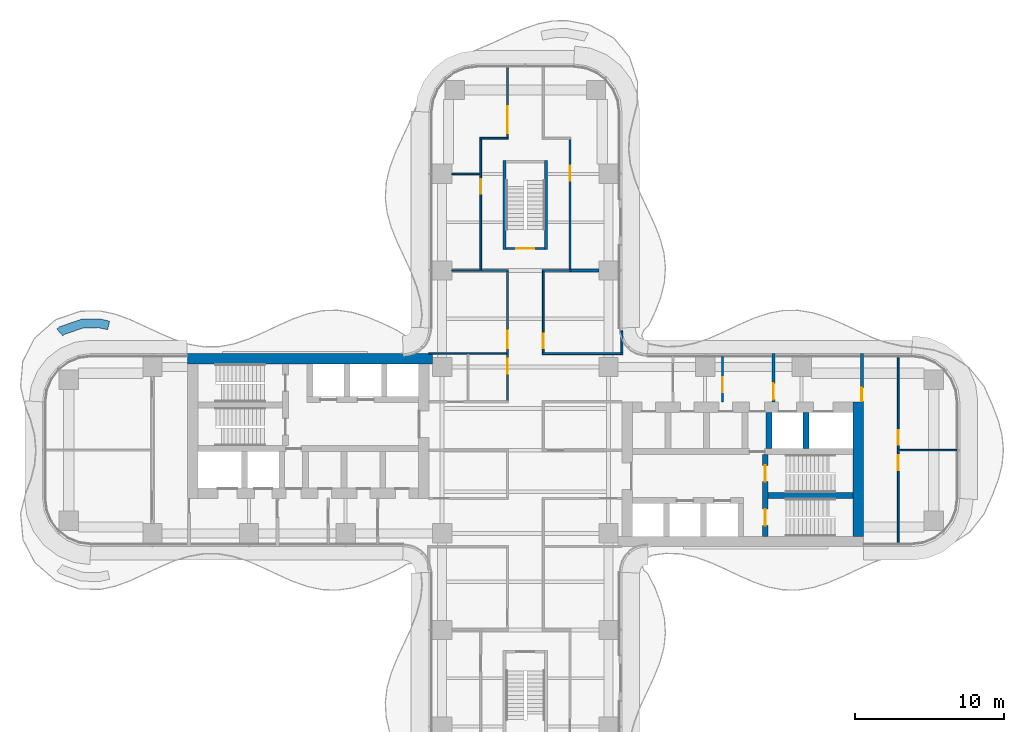
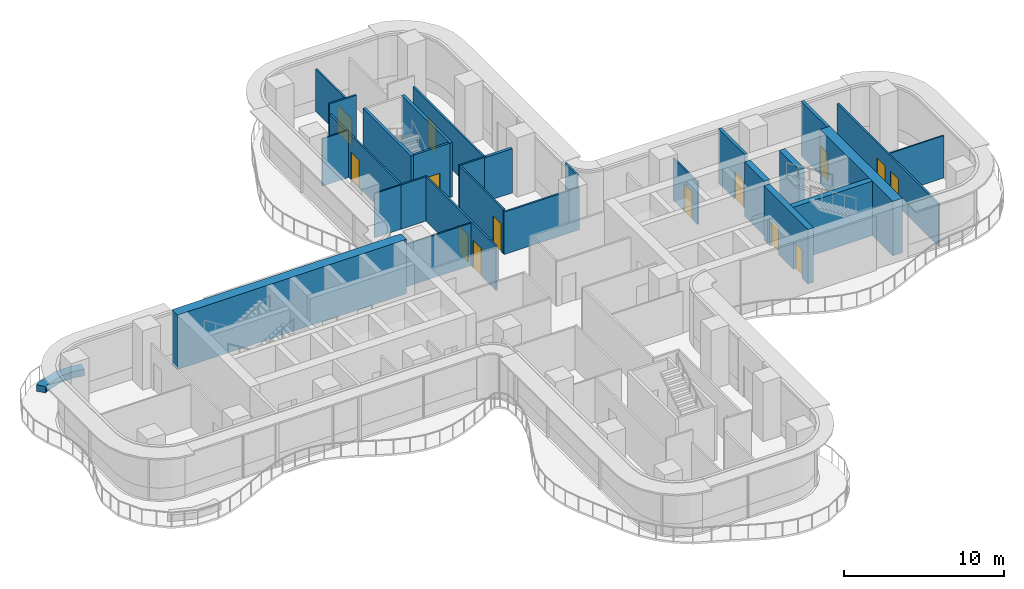
# One storey, part 17 of 20: 29 walls, 14 doors, 14 openings.
"""IFC4 building model written with IfcOpenShell, lengths in metres."""

from ifc_helpers import new_model, si_unit, direction, frame, frame_2d, origin, place, context, subcontext, project, spatial, polyline, rectangle, outline, extrude, source, transform, mapped, material, layer, layer_set, type_object, element, fill, save


model = new_model("IFC4")

# Units and contexts
model_context = context("Model", 3, precision=1e-05, world=origin(), true_north=direction((0.0, 1.0)))
body_context = subcontext(model_context, "Body", "Model", "MODEL_VIEW")
ifc_project = project(units=[si_unit("LENGTHUNIT", "METRE"), si_unit("AREAUNIT", "SQUARE_METRE"), si_unit("VOLUMEUNIT", "CUBIC_METRE"), si_unit("PLANEANGLEUNIT", "RADIAN"), si_unit("MASSUNIT", "GRAM", prefix="KILO")], contexts=[model_context])

# Site, building, storey
site_placement = place(None, origin())
site = spatial("IfcSite", under=ifc_project, at=site_placement, CompositionType="ELEMENT")
building_placement = place(site_placement, origin())
building = spatial("IfcBuilding", under=site, at=building_placement, Name="Trellis Farm Tower", CompositionType="ELEMENT")
storey_placement = place(building_placement, frame((0.0, 0.0, 151.5)))
storey = spatial("IfcBuildingStorey", under=building, at=storey_placement, Name="L32", CompositionType="ELEMENT", Elevation=151.5)

# Walls
ifc_material_1 = material(Name="Lightweight blockwork, plastered", Category="masonry")
ifc_layer_1 = layer(ifc_material_1, 0.199951171875)
ifc_layer_set_1 = layer_set([ifc_layer_1], Name="BLOCK WALL 200 EI 120")
wall_type_1 = type_object("IfcWallType", Name="BLOCK WALL 200 EI 120", PredefinedType="PARTITIONING", material=ifc_layer_set_1)
wall_1_placement = place(storey_placement, frame((2.9375, 12.10009765625, 0.0), z_axis=(0.0, 0.0, 1.0), x_axis=(1.0, 0.0, 0.0)))
element("IfcWall", 1, at=wall_1_placement, inside=storey, type_object=wall_type_1, Name="Partition PW3", PredefinedType="PARTITIONING", context=body_context, shape_type="SweptSolid", body=[
    extrude(rectangle(XDim=2.012451171875, YDim=0.199951171875, at=frame_2d((1.00634765625, 0.0))), origin(), (0.0, 0.0, 1.0), 3.367919921875),
])
ifc_material_2 = material(Name="Plasterboard on steel studs", Category="steel")
ifc_layer_2 = layer(ifc_material_2, 0.10009765625)
ifc_layer_set_2 = layer_set([ifc_layer_2], Name="PARTITION 100 STUD EI 30")
wall_type_2 = type_object("IfcWallType", Name="PARTITION 100 STUD EI 30", PredefinedType="PARTITIONING", material=ifc_layer_set_2)
wall_2_placement = place(storey_placement, frame((25.16259765625, 0.0, 0.0), z_axis=(0.0, 0.0, 1.0), x_axis=(1.0, 0.0, 0.0)))
element("IfcWall", 2, at=wall_2_placement, inside=storey, type_object=wall_type_2, Name="Partition PW2", PredefinedType="PARTITIONING", context=body_context, shape_type="SweptSolid", body=[
    extrude(rectangle(XDim=3.887451171875, YDim=0.10009765625, at=frame_2d((1.94384765625, 0.0))), origin(), (0.0, 0.0, 1.0), 3.22998046875),
])
wall_3_placement = place(storey_placement, frame((-4.949951171875, 18.60009765625, 0.0), z_axis=(0.0, 0.0, 1.0), x_axis=(1.0, 0.0, 0.0)))
element("IfcWall", 3, at=wall_3_placement, inside=storey, type_object=wall_type_2, Name="Partition PW2", PredefinedType="PARTITIONING", context=body_context, shape_type="SweptSolid", body=[
    extrude(rectangle(XDim=1.887451171875, YDim=0.10009765625, at=frame_2d((0.94384765625, 0.0))), origin(), (0.0, 0.0, 1.0), 3.596923828125),
])

# Wall, opening, door
ifc_material_3 = material(Name="Plasterboard on steel studs, mineral wool", Category="steel")
ifc_layer_3 = layer(ifc_material_3, 0.125)
ifc_layer_set_3 = layer_set([ifc_layer_3], Name="PARTITION 125 STUD EI 60")
wall_type_3 = type_object("IfcWallType", Name="PARTITION 125 STUD EI 60", PredefinedType="PARTITIONING", material=ifc_layer_set_3)
wall_4_placement = place(storey_placement, frame((3.0, 20.9375, 0.0), z_axis=(0.0, 0.0, 1.0), x_axis=(0.0, -1.0, 0.0)))
wall_4 = element("IfcWall", 4, at=wall_4_placement, inside=storey, type_object=wall_type_3, Name="Partition PW1", PredefinedType="PARTITIONING", context=body_context, shape_type="SweptSolid", body=[
    extrude(rectangle(XDim=8.737548828125, YDim=0.125, at=frame_2d((4.36865234375, 0.0))), origin(), (0.0, 0.0, 1.0), 3.367919921875),
])
shared_shape_1 = source(origin(), body_context, "Body", "SweptSolid", [
    extrude(rectangle(XDim=1.0, YDim=2.10009765625, at=frame_2d((0.5, 1.050048828125))), frame((0.0, 0.072509765625, 0.0), z_axis=(0.0, -1.0, 0.0), x_axis=(1.0, 0.0, 0.0)), (0.0, 0.0, 1.0), 0.14501953125),
])
opening_1_placement = place(wall_4_placement, frame((1.78759765625, 0.0, 0.0)))
opening_1 = element("IfcOpeningElement", 5, at=opening_1_placement, cuts=wall_4, Name="Opening D112", PredefinedType="OPENING", context=body_context, shape_type="MappedRepresentation", body=[
    mapped(shared_shape_1, transform((0.0, 0.0, 0.0))),
])
ifc_material_4 = material(Name="Fire-rated timber door leaf in a hollow metal frame", Category="wood")
door_type_1 = type_object("IfcDoorType", Name="DOOR 1000x2100 FD30S", OperationType="NOTDEFINED", PredefinedType="DOOR", material=ifc_material_4)
shared_shape_2 = source(origin(), body_context, "Body", "SweptSolid", [
    extrude(rectangle(XDim=1.0, YDim=2.10009765625, at=frame_2d((0.5, 1.050048828125))), frame((0.0, 0.02490234375, 0.0), z_axis=(0.0, -1.0, 0.0), x_axis=(1.0, 0.0, 0.0)), (0.0, 0.0, 1.0), 0.050048828125),
])
door_1_placement = place(opening_1_placement, origin())
door_1 = element("IfcDoor", 6, at=door_1_placement, inside=storey, type_object=door_type_1, Name="Door D112", OperationType="SINGLE_SWING_LEFT", OverallHeight=2.10009765625, OverallWidth=1.0, PredefinedType="DOOR", context=body_context, shape_type="MappedRepresentation", body=[
    mapped(shared_shape_2, transform((0.0, 0.0, 0.0))),
])
fill(opening_1, door_1)

# Wall, openings, doors
wall_5_placement = place(storey_placement, frame((25.10009765625, 6.300048828125, 0.0), z_axis=(0.0, 0.0, 1.0), x_axis=(0.0, -1.0, 0.0)))
wall_5 = element("IfcWall", 7, at=wall_5_placement, inside=storey, type_object=wall_type_3, Name="Partition PW1", PredefinedType="PARTITIONING", context=body_context, shape_type="SweptSolid", body=[
    extrude(rectangle(XDim=12.60009765625, YDim=0.125, at=frame_2d((6.300048828125, 0.0))), origin(), (0.0, 0.0, 1.0), 3.22998046875),
])
opening_2_placement = place(wall_5_placement, frame((6.64990234375, 0.0, 0.0)))
opening_2 = element("IfcOpeningElement", 8, at=opening_2_placement, cuts=wall_5, Name="Opening D105", PredefinedType="OPENING", context=body_context, shape_type="MappedRepresentation", body=[
    mapped(shared_shape_1, transform((0.0, 0.0, 0.0))),
])
opening_3_placement = place(wall_5_placement, frame((4.949951171875, 0.0, 0.0)))
opening_3 = element("IfcOpeningElement", 9, at=opening_3_placement, cuts=wall_5, Name="Opening D107", PredefinedType="OPENING", context=body_context, shape_type="MappedRepresentation", body=[
    mapped(shared_shape_1, transform((0.0, 0.0, 0.0))),
])
door_2_placement = place(opening_2_placement, origin())
door_2 = element("IfcDoor", 10, at=door_2_placement, inside=storey, type_object=door_type_1, Name="Door D105", OperationType="SINGLE_SWING_LEFT", OverallHeight=2.10009765625, OverallWidth=1.0, PredefinedType="DOOR", context=body_context, shape_type="MappedRepresentation", body=[
    mapped(shared_shape_2, transform((0.0, 0.0, 0.0))),
])
fill(opening_2, door_2)
door_3_placement = place(opening_3_placement, origin())
door_3 = element("IfcDoor", 11, at=door_3_placement, inside=storey, type_object=door_type_1, Name="Door D107", OperationType="SINGLE_SWING_RIGHT", OverallHeight=2.10009765625, OverallWidth=1.0, PredefinedType="DOOR", context=body_context, shape_type="MappedRepresentation", body=[
    mapped(shared_shape_2, transform((0.0, 0.0, 0.0))),
])
fill(opening_3, door_3)

# Walls
ifc_material_5 = material(Name="Sandstone faced masonry planter", Category="masonry")
ifc_layer_4 = layer(ifc_material_5, 0.60009765625)
ifc_layer_set_4 = layer_set([ifc_layer_4], Name="PLANTER BED 600")
wall_type_4 = type_object("IfcWallType", Name="PLANTER BED 600", PredefinedType="USERDEFINED", material=ifc_layer_set_4)
wall_6_placement = place(storey_placement, origin())
element("IfcWall", 12, at=wall_6_placement, inside=storey, type_object=wall_type_4, Name="PLANTER bed", ObjectType="PLANTER", PredefinedType="USERDEFINED", context=body_context, shape_type="SweptSolid", body=[
    extrude(outline(polyline([(-31.362548828125, 8.30810546875), (-29.87158203125, 8.824462890625), (-28.693603515625, 8.84521484375), (-27.9921875, 8.693115234375), (-28.119384765625, 8.106689453125), (-28.75244140625, 8.243896484375), (-29.765380859375, 8.22607421875), (-31.056640625, 7.779296875), (-31.1474609375, 7.7001953125), (-31.540771484375, 8.1533203125), (-31.362548828125, 8.30810546875)])), origin(), (0.0, 0.0, 1.0), 0.5),
])
ifc_material_6 = material(Name="Concrete C70/85", Category="concrete")
ifc_layer_5 = layer(ifc_material_6, 0.699951171875)
ifc_layer_set_5 = layer_set([ifc_layer_5], Name="CORE OUTER WALL 700 CONCRETE C70/85")
wall_type_5 = type_object("IfcWallType", Name="CORE OUTER WALL 700 CONCRETE C70/85", PredefinedType="SHEAR", material=ifc_layer_set_5)
shared_shape_3 = source(origin(), body_context, "Body", "SweptSolid", [
    extrude(rectangle(XDim=9.050048828125, YDim=0.699951171875, at=frame_2d((4.52490234375, 0.0))), origin(), (0.0, 0.0, 1.0), 4.14990234375),
])
wall_7_placement = place(storey_placement, frame((22.39990234375, -5.800048828125, 0.0), z_axis=(0.0, 0.0, 1.0), x_axis=(0.0, 1.0, 0.0)))
element("IfcWall", 13, at=wall_7_placement, inside=storey, type_object=wall_type_5, Name="Core wall", PredefinedType="SHEAR", context=body_context, shape_type="MappedRepresentation", body=[
    mapped(shared_shape_3, transform((0.0, 0.0, 0.0))),
])
ifc_layer_6 = layer(ifc_material_6, 0.39990234375)
ifc_layer_set_6 = layer_set([ifc_layer_6], Name="CORE INNER WALL 400 CONCRETE C70/85")
wall_type_6 = type_object("IfcWallType", Name="CORE INNER WALL 400 CONCRETE C70/85", PredefinedType="SHEAR", material=ifc_layer_set_6)
shared_shape_4 = source(origin(), body_context, "Body", "SweptSolid", [
    extrude(rectangle(XDim=2.449951171875, YDim=0.39990234375, at=frame_2d((1.22509765625, 0.0))), origin(), (0.0, 0.0, 1.0), 4.14990234375),
])
for number, where, z_axis, x_axis, name in (
    (14, (16.39990234375, 0.10009765625, 0.0), (0.0, 0.0, 1.0), (0.0, 1.0, 0.0), "Core wall"),
    (15, (18.89990234375, 0.10009765625, 0.0), (0.0, 0.0, 1.0), (0.0, 1.0, 0.0), "Core wall"),
):
    element("IfcWall", number, at=place(storey_placement, frame(where, z_axis=z_axis, x_axis=x_axis)), inside=storey, type_object=wall_type_6, Name=name, PredefinedType="SHEAR", context=body_context, shape_type="MappedRepresentation", body=[
        mapped(shared_shape_4, transform((0.0, 0.0, 0.0))),
    ])

# Wall, opening, door
ifc_material_7 = material(Name="Masonry blockwork", Category="masonry")
ifc_layer_7 = layer(ifc_material_7, 0.199951171875)
ifc_layer_set_7 = layer_set([ifc_layer_7], Name="FIRE LOBBY PARTITION 200 BLOCKWORK")
wall_type_7 = type_object("IfcWallType", Name="FIRE LOBBY PARTITION 200 BLOCKWORK", PredefinedType="PARTITIONING", material=ifc_layer_set_7)
shared_shape_5 = source(origin(), body_context, "Body", "SweptSolid", [
    extrude(rectangle(XDim=3.25, YDim=0.199951171875, at=frame_2d((1.625, 0.0))), origin(), (0.0, 0.0, 1.0), 4.14990234375),
])
wall_8_placement = place(storey_placement, frame((16.699951171875, 3.25, 0.0), z_axis=(0.0, 0.0, 1.0), x_axis=(0.0, 1.0, 0.0)))
wall_8 = element("IfcWall", 16, at=wall_8_placement, inside=storey, type_object=wall_type_7, Name="Fire-fighting lobby partition", PredefinedType="PARTITIONING", context=body_context, shape_type="MappedRepresentation", body=[
    mapped(shared_shape_5, transform((0.0, 0.0, 0.0))),
])
shared_shape_6 = source(origin(), body_context, "Body", "SweptSolid", [
    extrude(rectangle(XDim=1.10009765625, YDim=2.10009765625, at=frame_2d((0.550048828125, 1.050048828125))), frame((0.0, 0.110107421875, 0.0), z_axis=(0.0, -1.0, 0.0), x_axis=(1.0, 0.0, 0.0)), (0.0, 0.0, 1.0), 0.22021484375),
])
opening_4_placement = place(wall_8_placement, frame((0.14990234375, 0.0, 0.0)))
opening_4 = element("IfcOpeningElement", 17, at=opening_4_placement, cuts=wall_8, Name="Opening DC7", PredefinedType="OPENING", context=body_context, shape_type="MappedRepresentation", body=[
    mapped(shared_shape_6, transform((0.0, 0.0, 0.0))),
])
ifc_material_8 = material(Name="Steel", Category="steel")
door_type_2 = type_object("IfcDoorType", Name="CORE FIRE DOOR 1100 X 2100", OperationType="NOTDEFINED", PredefinedType="DOOR", material=ifc_material_8)
shared_shape_7 = source(origin(), body_context, "Body", "SweptSolid", [
    extrude(rectangle(XDim=1.10009765625, YDim=2.10009765625, at=frame_2d((0.550048828125, 1.050048828125))), frame((0.0, 0.02490234375, 0.0), z_axis=(0.0, -1.0, 0.0), x_axis=(1.0, 0.0, 0.0)), (0.0, 0.0, 1.0), 0.050048828125),
])
door_4_placement = place(opening_4_placement, origin())
door_4 = element("IfcDoor", 18, at=door_4_placement, inside=storey, type_object=door_type_2, Name="Core door", OperationType="SINGLE_SWING_RIGHT", OverallHeight=2.10009765625, OverallWidth=1.10009765625, PredefinedType="DOOR", context=body_context, shape_type="MappedRepresentation", body=[
    mapped(shared_shape_7, transform((0.0, 0.0, 0.0))),
])
fill(opening_4, door_4)

wall_9_placement = place(storey_placement, frame((22.64990234375, 3.25, 0.0), z_axis=(0.0, 0.0, 1.0), x_axis=(0.0, 1.0, 0.0)))
wall_9 = element("IfcWall", 19, at=wall_9_placement, inside=storey, type_object=wall_type_7, Name="Fire-fighting lobby partition", PredefinedType="PARTITIONING", context=body_context, shape_type="MappedRepresentation", body=[
    mapped(shared_shape_5, transform((0.0, 0.0, 0.0))),
])
shared_shape_8 = source(origin(), body_context, "Body", "SweptSolid", [
    extrude(rectangle(XDim=0.89990234375, YDim=2.10009765625, at=frame_2d((0.449951171875, 1.050048828125))), frame((0.0, 0.110107421875, 0.0), z_axis=(0.0, -1.0, 0.0), x_axis=(1.0, 0.0, 0.0)), (0.0, 0.0, 1.0), 0.22021484375),
])
opening_5_placement = place(wall_9_placement, frame((0.050048828125, 0.0, 0.0)))
opening_5 = element("IfcOpeningElement", 20, at=opening_5_placement, cuts=wall_9, Name="Opening DC8", PredefinedType="OPENING", context=body_context, shape_type="MappedRepresentation", body=[
    mapped(shared_shape_8, transform((0.0, 0.0, 0.0))),
])
door_type_3 = type_object("IfcDoorType", Name="CORE FIRE DOOR 900 X 2100", OperationType="NOTDEFINED", PredefinedType="DOOR", material=ifc_material_8)
shared_shape_9 = source(origin(), body_context, "Body", "SweptSolid", [
    extrude(rectangle(XDim=0.89990234375, YDim=2.10009765625, at=frame_2d((0.449951171875, 1.050048828125))), frame((0.0, 0.02490234375, 0.0), z_axis=(0.0, -1.0, 0.0), x_axis=(1.0, 0.0, 0.0)), (0.0, 0.0, 1.0), 0.050048828125),
])
door_5_placement = place(opening_5_placement, origin())
door_5 = element("IfcDoor", 21, at=door_5_placement, inside=storey, type_object=door_type_3, Name="Core door", OperationType="SINGLE_SWING_RIGHT", OverallHeight=2.10009765625, OverallWidth=0.89990234375, PredefinedType="DOOR", context=body_context, shape_type="MappedRepresentation", body=[
    mapped(shared_shape_9, transform((0.0, 0.0, 0.0))),
])
fill(opening_5, door_5)

# Wall
shared_shape_10 = source(origin(), body_context, "Body", "SweptSolid", [
    extrude(rectangle(XDim=16.5, YDim=0.699951171875, at=frame_2d((8.25, 0.0))), origin(), (0.0, 0.0, 1.0), 4.14990234375),
])
wall_10_placement = place(storey_placement, frame((-6.25, 6.14990234375, 0.0), z_axis=(0.0, 0.0, 1.0), x_axis=(-1.0, 0.0, 0.0)))
element("IfcWall", 22, at=wall_10_placement, inside=storey, type_object=wall_type_5, Name="Core wall", PredefinedType="SHEAR", context=body_context, shape_type="MappedRepresentation", body=[
    mapped(shared_shape_10, transform((0.0, 0.0, 0.0))),
])

# Wall, openings, doors
shared_shape_11 = source(origin(), body_context, "Body", "SweptSolid", [
    extrude(rectangle(XDim=5.5, YDim=0.39990234375, at=frame_2d((2.75, 0.0))), origin(), (0.0, 0.0, 1.0), 4.14990234375),
])
wall_11_placement = place(storey_placement, frame((16.14990234375, -5.800048828125, 0.0), z_axis=(0.0, 0.0, 1.0), x_axis=(0.0, 1.0, 0.0)))
wall_11 = element("IfcWall", 23, at=wall_11_placement, inside=storey, type_object=wall_type_6, Name="Core wall", PredefinedType="SHEAR", context=body_context, shape_type="MappedRepresentation", body=[
    mapped(shared_shape_11, transform((0.0, 0.0, 0.0))),
])
shared_shape_12 = source(origin(), body_context, "Body", "SweptSolid", [
    extrude(rectangle(XDim=1.10009765625, YDim=2.10009765625, at=frame_2d((0.550048828125, 1.050048828125))), frame((0.0, 0.2099609375, 0.0), z_axis=(0.0, -1.0, 0.0), x_axis=(1.0, 0.0, 0.0)), (0.0, 0.0, 1.0), 0.419921875),
])
opening_6_placement = place(wall_11_placement, frame((0.72509765625, 0.0, 0.0)))
opening_6 = element("IfcOpeningElement", 24, at=opening_6_placement, cuts=wall_11, Name="Opening DC2", PredefinedType="OPENING", context=body_context, shape_type="MappedRepresentation", body=[
    mapped(shared_shape_12, transform((0.0, 0.0, 0.0))),
])
opening_7_placement = place(wall_11_placement, frame((3.675048828125, 0.0, 0.0)))
opening_7 = element("IfcOpeningElement", 25, at=opening_7_placement, cuts=wall_11, Name="Opening DC3", PredefinedType="OPENING", context=body_context, shape_type="MappedRepresentation", body=[
    mapped(shared_shape_12, transform((0.0, 0.0, 0.0))),
])
door_6_placement = place(opening_6_placement, origin())
door_6 = element("IfcDoor", 26, at=door_6_placement, inside=storey, type_object=door_type_2, Name="Core door", OperationType="SINGLE_SWING_RIGHT", OverallHeight=2.10009765625, OverallWidth=1.10009765625, PredefinedType="DOOR", context=body_context, shape_type="MappedRepresentation", body=[
    mapped(shared_shape_7, transform((0.0, 0.0, 0.0))),
])
fill(opening_6, door_6)
door_7_placement = place(opening_7_placement, origin())
door_7 = element("IfcDoor", 27, at=door_7_placement, inside=storey, type_object=door_type_2, Name="Core door", OperationType="SINGLE_SWING_LEFT", OverallHeight=2.10009765625, OverallWidth=1.10009765625, PredefinedType="DOOR", context=body_context, shape_type="MappedRepresentation", body=[
    mapped(shared_shape_7, transform((0.0, 0.0, 0.0))),
])
fill(opening_7, door_7)

# Walls
shared_shape_13 = source(origin(), body_context, "Body", "SweptSolid", [
    extrude(rectangle(XDim=5.699951171875, YDim=0.39990234375, at=frame_2d((2.85009765625, 0.0))), origin(), (0.0, 0.0, 1.0), 4.14990234375),
])
wall_12_placement = place(storey_placement, frame((16.35009765625, -3.050048828125, 0.0), z_axis=(0.0, 0.0, 1.0), x_axis=(1.0, 0.0, 0.0)))
element("IfcWall", 28, at=wall_12_placement, inside=storey, type_object=wall_type_6, Name="Core wall", PredefinedType="SHEAR", context=body_context, shape_type="MappedRepresentation", body=[
    mapped(shared_shape_13, transform((0.0, 0.0, 0.0))),
])
ifc_layer_8 = layer(ifc_material_6, 0.199951171875)
ifc_layer_set_8 = layer_set([ifc_layer_8], Name="CORE STAIR ENCLOSURE WALL 200 CONCRETE C70/85")
wall_type_8 = type_object("IfcWallType", Name="CORE STAIR ENCLOSURE WALL 200 CONCRETE C70/85", PredefinedType="SHEAR", material=ifc_layer_set_8)
shared_shape_14 = source(origin(), body_context, "Body", "SweptSolid", [
    extrude(rectangle(XDim=6.0, YDim=0.199951171875, at=frame_2d((3.0, 0.0))), origin(), (0.0, 0.0, 1.0), 4.14990234375),
])
for number, where, z_axis, x_axis, name in (
    (29, (-1.39990234375, 13.5, 0.0), (0.0, 0.0, 1.0), (0.0, 1.0, 0.0), "Stair enclosure wall"),
    (30, (1.39990234375, 13.5, 0.0), (0.0, 0.0, 1.0), (0.0, 1.0, 0.0), "Stair enclosure wall"),
):
    element("IfcWall", number, at=place(storey_placement, frame(where, z_axis=z_axis, x_axis=x_axis)), inside=storey, type_object=wall_type_8, Name=name, PredefinedType="SHEAR", context=body_context, shape_type="MappedRepresentation", body=[
        mapped(shared_shape_14, transform((0.0, 0.0, 0.0))),
    ])

# Wall, opening, door
ifc_layer_9 = layer(ifc_material_6, 0.14990234375)
ifc_layer_set_9 = layer_set([ifc_layer_9], Name="CORE STAIR ENCLOSURE WALL 150 CONCRETE C70/85")
wall_type_9 = type_object("IfcWallType", Name="CORE STAIR ENCLOSURE WALL 150 CONCRETE C70/85", PredefinedType="SHEAR", material=ifc_layer_set_9)
shared_shape_15 = source(origin(), body_context, "Body", "SweptSolid", [
    extrude(rectangle(XDim=2.60009765625, YDim=0.14990234375, at=frame_2d((1.300048828125, 0.0))), origin(), (0.0, 0.0, 1.0), 4.14990234375),
])
wall_13_placement = place(storey_placement, frame((-1.300048828125, 13.574951171875, 0.0), z_axis=(0.0, 0.0, 1.0), x_axis=(1.0, 0.0, 0.0)))
wall_13 = element("IfcWall", 31, at=wall_13_placement, inside=storey, type_object=wall_type_9, Name="Stair enclosure wall", PredefinedType="SHEAR", context=body_context, shape_type="MappedRepresentation", body=[
    mapped(shared_shape_15, transform((0.0, 0.0, 0.0))),
])
shared_shape_16 = source(origin(), body_context, "Body", "SweptSolid", [
    extrude(rectangle(XDim=1.199951171875, YDim=2.10009765625, at=frame_2d((0.60009765625, 1.050048828125))), frame((0.0, 0.0849609375, 0.0), z_axis=(0.0, -1.0, 0.0), x_axis=(1.0, 0.0, 0.0)), (0.0, 0.0, 1.0), 0.169921875),
])
opening_8_placement = place(wall_13_placement, frame((0.699951171875, 0.0, 0.0)))
opening_8 = element("IfcOpeningElement", 32, at=opening_8_placement, cuts=wall_13, Name="Opening DC173", PredefinedType="OPENING", context=body_context, shape_type="MappedRepresentation", body=[
    mapped(shared_shape_16, transform((0.0, 0.0, 0.0))),
])
door_type_4 = type_object("IfcDoorType", Name="CORE FIRE DOOR 1200 X 2100", OperationType="NOTDEFINED", PredefinedType="DOOR", material=ifc_material_8)
shared_shape_17 = source(origin(), body_context, "Body", "SweptSolid", [
    extrude(rectangle(XDim=1.199951171875, YDim=2.10009765625, at=frame_2d((0.60009765625, 1.050048828125))), frame((0.0, 0.02490234375, 0.0), z_axis=(0.0, -1.0, 0.0), x_axis=(1.0, 0.0, 0.0)), (0.0, 0.0, 1.0), 0.050048828125),
])
door_8_placement = place(opening_8_placement, origin())
door_8 = element("IfcDoor", 33, at=door_8_placement, inside=storey, type_object=door_type_4, Name="Core door", OperationType="SINGLE_SWING_LEFT", OverallHeight=2.10009765625, OverallWidth=1.199951171875, PredefinedType="DOOR", context=body_context, shape_type="MappedRepresentation", body=[
    mapped(shared_shape_17, transform((0.0, 0.0, 0.0))),
])
fill(opening_8, door_8)

shared_shape_18 = source(origin(), body_context, "Body", "SweptSolid", [
    extrude(rectangle(XDim=3.050048828125, YDim=0.125, at=frame_2d((1.52490234375, 0.0))), origin(), (0.0, 0.0, 1.0), 3.22998046875),
])
wall_14_placement = place(storey_placement, frame((13.26708984375, 3.25, 0.0), z_axis=(0.0, 0.0, 1.0), x_axis=(0.0, 1.0, 0.0)))
wall_14 = element("IfcWall", 34, at=wall_14_placement, inside=storey, type_object=wall_type_3, Name="Partition PW1", PredefinedType="PARTITIONING", context=body_context, shape_type="MappedRepresentation", body=[
    mapped(shared_shape_18, transform((0.0, 0.0, 0.0))),
])
opening_9_placement = place(wall_14_placement, frame((0.64990234375, 0.0, 0.0)))
opening_9 = element("IfcOpeningElement", 35, at=opening_9_placement, cuts=wall_14, Name="Opening D302", PredefinedType="OPENING", context=body_context, shape_type="MappedRepresentation", body=[
    mapped(shared_shape_1, transform((0.0, 0.0, 0.0))),
])
door_type_5 = type_object("IfcDoorType", Name="DOOR 1000x2100 FD60", OperationType="NOTDEFINED", PredefinedType="DOOR", material=ifc_material_4)
door_9_placement = place(opening_9_placement, origin())
door_9 = element("IfcDoor", 36, at=door_9_placement, inside=storey, type_object=door_type_5, Name="Door D302", OperationType="SINGLE_SWING_LEFT", OverallHeight=2.10009765625, OverallWidth=1.0, PredefinedType="DOOR", context=body_context, shape_type="MappedRepresentation", body=[
    mapped(shared_shape_2, transform((0.0, 0.0, 0.0))),
])
fill(opening_9, door_9)

shared_shape_19 = source(origin(), body_context, "Body", "SweptSolid", [
    extrude(rectangle(XDim=8.78759765625, YDim=0.125, at=frame_2d((4.393798828125, 0.0))), origin(), (0.0, 0.0, 1.0), 3.367919921875),
])
wall_15_placement = place(storey_placement, frame((-3.0, 12.14990234375, 0.0), z_axis=(0.0, 0.0, 1.0), x_axis=(0.0, 1.0, 0.0)))
wall_15 = element("IfcWall", 37, at=wall_15_placement, inside=storey, type_object=wall_type_3, Name="Partition PW1", PredefinedType="PARTITIONING", context=body_context, shape_type="MappedRepresentation", body=[
    mapped(shared_shape_19, transform((0.0, 0.0, 0.0))),
])
opening_10_placement = place(wall_15_placement, frame((5.10009765625, 0.0, 0.0)))
opening_10 = element("IfcOpeningElement", 38, at=opening_10_placement, cuts=wall_15, Name="Opening D111", PredefinedType="OPENING", context=body_context, shape_type="MappedRepresentation", body=[
    mapped(shared_shape_1, transform((0.0, 0.0, 0.0))),
])
door_10_placement = place(opening_10_placement, origin())
door_10 = element("IfcDoor", 39, at=door_10_placement, inside=storey, type_object=door_type_1, Name="Door D111", OperationType="SINGLE_SWING_RIGHT", OverallHeight=2.10009765625, OverallWidth=1.0, PredefinedType="DOOR", context=body_context, shape_type="MappedRepresentation", body=[
    mapped(shared_shape_2, transform((0.0, 0.0, 0.0))),
])
fill(opening_10, door_10)

shared_shape_20 = source(origin(), body_context, "Body", "SweptSolid", [
    extrude(rectangle(XDim=4.737548828125, YDim=0.125, at=frame_2d((2.36865234375, 0.0))), origin(), (0.0, 0.0, 1.0), 3.22998046875),
])
wall_16_placement = place(storey_placement, frame((-1.199951171875, 25.800048828125, 0.0), z_axis=(0.0, 0.0, 1.0), x_axis=(0.0, -1.0, 0.0)))
wall_16 = element("IfcWall", 40, at=wall_16_placement, inside=storey, type_object=wall_type_3, Name="Partition PW1", PredefinedType="PARTITIONING", context=body_context, shape_type="MappedRepresentation", body=[
    mapped(shared_shape_20, transform((0.0, 0.0, 0.0))),
])
shared_shape_21 = source(origin(), body_context, "Body", "SweptSolid", [
    extrude(rectangle(XDim=1.800048828125, YDim=2.10009765625, at=frame_2d((0.89990234375, 1.050048828125))), frame((0.0, 0.072509765625, 0.0), z_axis=(0.0, -1.0, 0.0), x_axis=(1.0, 0.0, 0.0)), (0.0, 0.0, 1.0), 0.14501953125),
])
opening_11_placement = place(wall_16_placement, frame((2.64990234375, 0.0, 0.0)))
opening_11 = element("IfcOpeningElement", 41, at=opening_11_placement, cuts=wall_16, Name="Opening D202", PredefinedType="OPENING", context=body_context, shape_type="MappedRepresentation", body=[
    mapped(shared_shape_21, transform((0.0, 0.0, 0.0))),
])
door_type_6 = type_object("IfcDoorType", Name="DOOR PAIR 1800x2100 FD30S", OperationType="NOTDEFINED", PredefinedType="DOOR", material=ifc_material_4)
shared_shape_22 = source(origin(), body_context, "Body", "SweptSolid", [
    extrude(rectangle(XDim=1.800048828125, YDim=2.10009765625, at=frame_2d((0.89990234375, 1.050048828125))), frame((0.0, 0.02490234375, 0.0), z_axis=(0.0, -1.0, 0.0), x_axis=(1.0, 0.0, 0.0)), (0.0, 0.0, 1.0), 0.050048828125),
])
door_11_placement = place(opening_11_placement, origin())
door_11 = element("IfcDoor", 42, at=door_11_placement, inside=storey, type_object=door_type_6, Name="Door D202", OperationType="DOUBLE_DOOR_SINGLE_SWING", OverallHeight=2.10009765625, OverallWidth=1.800048828125, PredefinedType="DOOR", context=body_context, shape_type="MappedRepresentation", body=[
    mapped(shared_shape_22, transform((0.0, 0.0, 0.0))),
])
fill(opening_11, door_11)

# Wall, openings, doors
shared_shape_23 = source(origin(), body_context, "Body", "SweptSolid", [
    extrude(rectangle(XDim=8.72509765625, YDim=0.125, at=frame_2d((4.362548828125, 0.0))), origin(), (0.0, 0.0, 1.0), 3.367919921875),
])
wall_17_placement = place(storey_placement, frame((-1.199951171875, 12.03759765625, 0.0), z_axis=(0.0, 0.0, 1.0), x_axis=(0.0, -1.0, 0.0)))
wall_17 = element("IfcWall", 43, at=wall_17_placement, inside=storey, type_object=wall_type_3, Name="Partition PW1", PredefinedType="PARTITIONING", context=body_context, shape_type="MappedRepresentation", body=[
    mapped(shared_shape_23, transform((0.0, 0.0, 0.0))),
])
opening_12_placement = place(wall_17_placement, frame((5.887451171875, 0.0, 0.0)))
opening_12 = element("IfcOpeningElement", 44, at=opening_12_placement, cuts=wall_17, Name="Opening D110", PredefinedType="OPENING", context=body_context, shape_type="MappedRepresentation", body=[
    mapped(shared_shape_1, transform((0.0, 0.0, 0.0))),
])
shared_shape_24 = source(origin(), body_context, "Body", "SweptSolid", [
    extrude(rectangle(XDim=1.199951171875, YDim=2.10009765625, at=frame_2d((0.60009765625, 1.050048828125))), frame((0.0, 0.072509765625, 0.0), z_axis=(0.0, -1.0, 0.0), x_axis=(1.0, 0.0, 0.0)), (0.0, 0.0, 1.0), 0.14501953125),
])
opening_13_placement = place(wall_17_placement, frame((3.987548828125, 0.0, 0.0)))
opening_13 = element("IfcOpeningElement", 45, at=opening_13_placement, cuts=wall_17, Name="Opening D601", PredefinedType="OPENING", context=body_context, shape_type="MappedRepresentation", body=[
    mapped(shared_shape_24, transform((0.0, 0.0, 0.0))),
])
door_12_placement = place(opening_12_placement, origin())
door_12 = element("IfcDoor", 46, at=door_12_placement, inside=storey, type_object=door_type_1, Name="Door D110", OperationType="SINGLE_SWING_LEFT", OverallHeight=2.10009765625, OverallWidth=1.0, PredefinedType="DOOR", context=body_context, shape_type="MappedRepresentation", body=[
    mapped(shared_shape_2, transform((0.0, 0.0, 0.0))),
])
fill(opening_12, door_12)
door_type_7 = type_object("IfcDoorType", Name="DOOR 1200x2100 FD30S", OperationType="NOTDEFINED", PredefinedType="DOOR", material=ifc_material_4)
door_13_placement = place(opening_13_placement, origin())
door_13 = element("IfcDoor", 47, at=door_13_placement, inside=storey, type_object=door_type_7, Name="Door D601", OperationType="SINGLE_SWING_RIGHT", OverallHeight=2.10009765625, OverallWidth=1.199951171875, PredefinedType="DOOR", context=body_context, shape_type="MappedRepresentation", body=[
    mapped(shared_shape_17, transform((0.0, 0.0, 0.0))),
])
fill(opening_13, door_13)

# Wall, opening, door
shared_shape_25 = source(origin(), body_context, "Body", "SweptSolid", [
    extrude(rectangle(XDim=5.47509765625, YDim=0.125, at=frame_2d((2.737548828125, 0.0))), origin(), (0.0, 0.0, 1.0), 3.367919921875),
])
wall_18_placement = place(storey_placement, frame((1.199951171875, 12.03759765625, 0.0), z_axis=(0.0, 0.0, 1.0), x_axis=(0.0, -1.0, 0.0)))
wall_18 = element("IfcWall", 48, at=wall_18_placement, inside=storey, type_object=wall_type_3, Name="Partition PW1", PredefinedType="PARTITIONING", context=body_context, shape_type="MappedRepresentation", body=[
    mapped(shared_shape_25, transform((0.0, 0.0, 0.0))),
])
opening_14_placement = place(wall_18_placement, frame((4.1875, 0.0, 0.0)))
opening_14 = element("IfcOpeningElement", 49, at=opening_14_placement, cuts=wall_18, Name="Opening D303", PredefinedType="OPENING", context=body_context, shape_type="MappedRepresentation", body=[
    mapped(shared_shape_1, transform((0.0, 0.0, 0.0))),
])
door_14_placement = place(opening_14_placement, origin())
door_14 = element("IfcDoor", 50, at=door_14_placement, inside=storey, type_object=door_type_5, Name="Door D303", OperationType="SINGLE_SWING_RIGHT", OverallHeight=2.10009765625, OverallWidth=1.0, PredefinedType="DOOR", context=body_context, shape_type="MappedRepresentation", body=[
    mapped(shared_shape_2, transform((0.0, 0.0, 0.0))),
])
fill(opening_14, door_14)

# Walls
shared_shape_26 = source(origin(), body_context, "Body", "SweptSolid", [
    extrude(rectangle(XDim=1.468994140625, YDim=0.125, at=frame_2d((0.734375, 0.0))), origin(), (0.0, 0.0, 1.0), 4.14990234375),
])
wall_19_placement = place(storey_placement, frame((6.5, 6.5625, 0.0), z_axis=(0.0, 0.0, 1.0), x_axis=(0.0, 1.0, 0.0)))
element("IfcWall", 51, at=wall_19_placement, inside=storey, type_object=wall_type_3, Name="Partition PW1", PredefinedType="PARTITIONING", context=body_context, shape_type="MappedRepresentation", body=[
    mapped(shared_shape_26, transform((0.0, 0.0, 0.0))),
])
shared_shape_27 = source(origin(), body_context, "Body", "SweptSolid", [
    extrude(rectangle(XDim=1.925048828125, YDim=0.125, at=frame_2d((0.96240234375, 0.0))), origin(), (0.0, 0.0, 1.0), 4.14990234375),
])
wall_20_placement = place(storey_placement, frame((-3.0625, 21.0, 0.0), z_axis=(0.0, 0.0, 1.0), x_axis=(1.0, 0.0, 0.0)))
element("IfcWall", 52, at=wall_20_placement, inside=storey, type_object=wall_type_3, Name="Partition PW1", PredefinedType="PARTITIONING", context=body_context, shape_type="MappedRepresentation", body=[
    mapped(shared_shape_27, transform((0.0, 0.0, 0.0))),
])
shared_shape_28 = source(origin(), body_context, "Body", "SweptSolid", [
    extrude(rectangle(XDim=1.925048828125, YDim=0.125, at=frame_2d((0.96240234375, 0.0))), origin(), (0.0, 0.0, 1.0), 3.367919921875),
])
for number, where, z_axis, x_axis, name in (
    (53, (-1.137451171875, 12.10009765625, 0.0), (0.0, 0.0, 1.0), (-1.0, 0.0, 0.0), "Partition PW1"),
    (54, (3.0625, 12.10009765625, 0.0), (0.0, 0.0, 1.0), (-1.0, 0.0, 0.0), "Partition PW1"),
):
    element("IfcWall", number, at=place(storey_placement, frame(where, z_axis=z_axis, x_axis=x_axis)), inside=storey, type_object=wall_type_3, Name=name, PredefinedType="PARTITIONING", context=body_context, shape_type="MappedRepresentation", body=[
        mapped(shared_shape_28, transform((0.0, 0.0, 0.0))),
    ])
shared_shape_29 = source(origin(), body_context, "Body", "SweptSolid", [
    extrude(rectangle(XDim=5.237548828125, YDim=0.10009765625, at=frame_2d((2.61865234375, 0.0))), origin(), (0.0, 0.0, 1.0), 3.22998046875),
])
wall_21_placement = place(storey_placement, frame((-6.5, 6.5, 0.0), z_axis=(0.0, 0.0, 1.0), x_axis=(1.0, 0.0, 0.0)))
element("IfcWall", 55, at=wall_21_placement, inside=storey, type_object=wall_type_2, Name="Partition PW2", PredefinedType="PARTITIONING", context=body_context, shape_type="MappedRepresentation", body=[
    mapped(shared_shape_29, transform((0.0, 0.0, 0.0))),
])
shared_shape_30 = source(origin(), body_context, "Body", "SweptSolid", [
    extrude(rectangle(XDim=5.425048828125, YDim=0.125, at=frame_2d((2.71240234375, 0.0))), origin(), (0.0, 0.0, 1.0), 3.22998046875),
])
wall_22_placement = place(storey_placement, frame((1.137451171875, 6.5, 0.0), z_axis=(0.0, 0.0, 1.0), x_axis=(1.0, 0.0, 0.0)))
element("IfcWall", 56, at=wall_22_placement, inside=storey, type_object=wall_type_3, Name="Partition PW1", PredefinedType="PARTITIONING", context=body_context, shape_type="MappedRepresentation", body=[
    mapped(shared_shape_30, transform((0.0, 0.0, 0.0))),
])
shared_shape_31 = source(origin(), body_context, "Body", "SweptSolid", [
    extrude(rectangle(XDim=2.012451171875, YDim=0.10009765625, at=frame_2d((1.00634765625, 0.0))), origin(), (0.0, 0.0, 1.0), 3.367919921875),
])
wall_23_placement = place(storey_placement, frame((-4.949951171875, 12.10009765625, 0.0), z_axis=(0.0, 0.0, 1.0), x_axis=(1.0, 0.0, 0.0)))
element("IfcWall", 57, at=wall_23_placement, inside=storey, type_object=wall_type_2, Name="Partition PW2", PredefinedType="PARTITIONING", context=body_context, shape_type="MappedRepresentation", body=[
    mapped(shared_shape_31, transform((0.0, 0.0, 0.0))),
])

save(model, "model.ifc")
